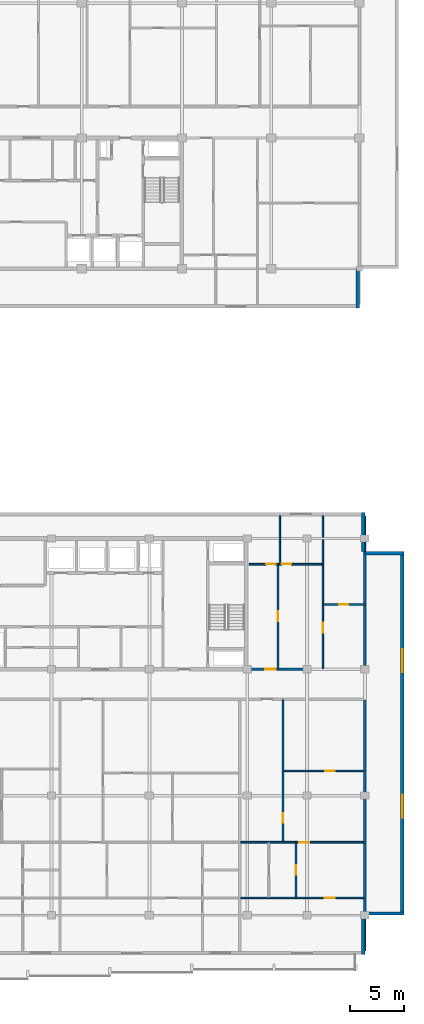
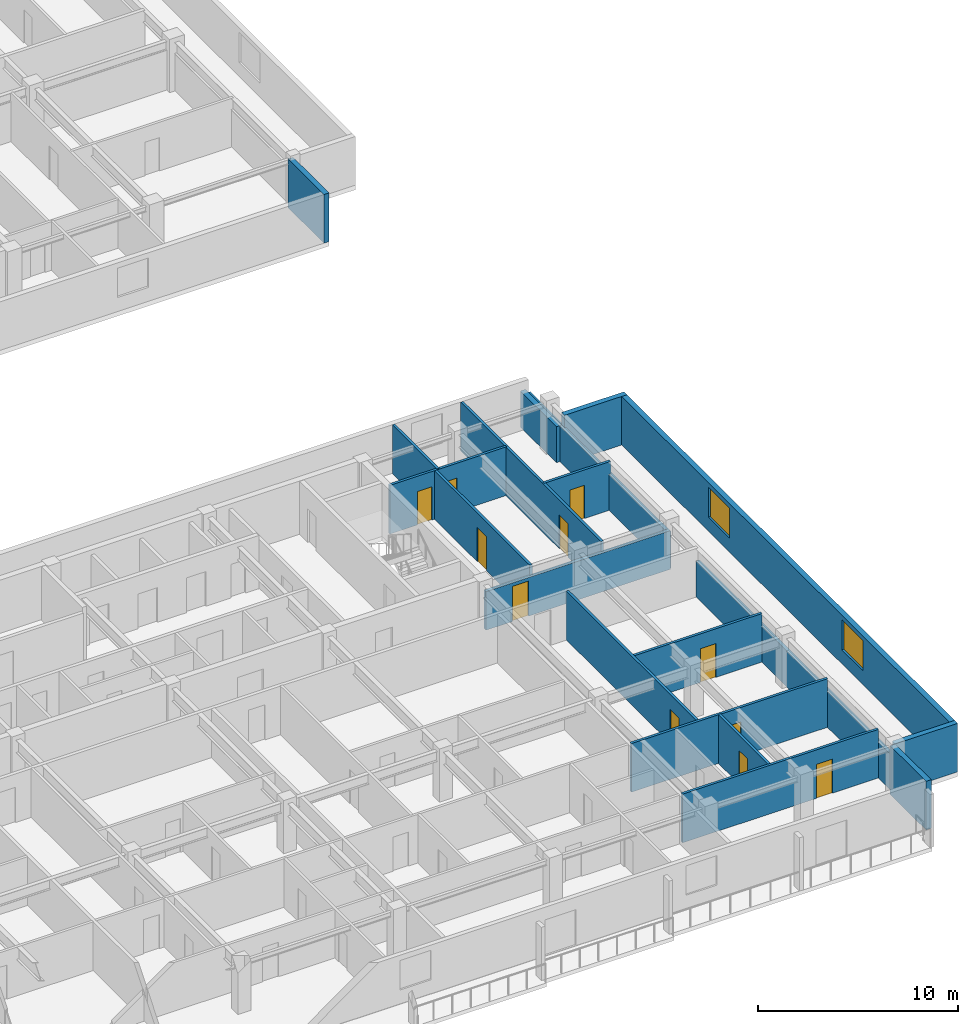
# One storey, part 10 of 22: 19 walls, 11 doors, 2 windows, 13 openings.
"""IFC4 building model written with IfcOpenShell, lengths in metres."""

from ifc_helpers import new_model, si_unit, direction, frame, frame_2d, origin, place, context, subcontext, project, spatial, rectangle, extrude, material, layer, layer_set, type_object, element, fill, save


model = new_model("IFC4")

# Units and contexts
model_context = context("Model", 3, precision=1e-05, world=origin(), true_north=direction((0.0, 1.0)))
body_context = subcontext(model_context, "Body", "Model", "MODEL_VIEW")
ifc_project = project(units=[si_unit("LENGTHUNIT", "METRE"), si_unit("AREAUNIT", "SQUARE_METRE"), si_unit("VOLUMEUNIT", "CUBIC_METRE"), si_unit("PLANEANGLEUNIT", "RADIAN"), si_unit("MASSUNIT", "GRAM", prefix="KILO")], contexts=[model_context])

# Site, building, storey
site_placement = place(None, origin())
site = spatial("IfcSite", under=ifc_project, at=site_placement, CompositionType="ELEMENT")
building_placement = place(site_placement, origin())
building = spatial("IfcBuilding", under=site, at=building_placement, Name="Korimba Cascade Residences", CompositionType="ELEMENT")
storey_placement = place(building_placement, frame((0.0, 0.0, 181.60009765625)))
storey = spatial("IfcBuildingStorey", under=building, at=storey_placement, Name="L52", CompositionType="ELEMENT", Elevation=181.60009765625)

# Walls
ifc_material_1 = material(Name="Precast concrete C40/50", Category="concrete")
ifc_layer_1 = layer(ifc_material_1, 0.300048828125)
ifc_layer_set_1 = layer_set([ifc_layer_1], Name="Precast concrete C40/50")
wall_type_1 = type_object("IfcWallType", Name="EW-STONE-300", PredefinedType="STANDARD", material=ifc_layer_set_1)
wall_1_placement = place(storey_placement, frame((128.25, 51.60009765625, 0.0), z_axis=(0.0, 0.0, 1.0), x_axis=(0.0, 1.0, 0.0)))
element("IfcWall", 1, at=wall_1_placement, inside=storey, type_object=wall_type_1, Name="L52 T1 Perimeter Stone Wall E01", PredefinedType="STANDARD", context=body_context, shape_type="SweptSolid", body=[
    extrude(rectangle(XDim=3.599853515625, YDim=0.300048828125, at=frame_2d((1.7998046875, 0.0))), origin(), (0.0, 0.0, 1.0), 2.969970703125),
])
for number, where, z_axis, x_axis, name in (
    (2, (128.75, -7.800048828125, 0.0), (0.0, 0.0, 1.0), (0.0, 1.0, 0.0), "L52 T2 Perimeter Stone Wall E01"),
    (3, (128.89990234375, -4.050048828125, 0.0), (0.0, 0.0, 1.0), (1.0, 0.0, 0.0), "L52 T2 Perimeter Stone Wall E02"),
):
    element("IfcWall", number, at=place(storey_placement, frame(where, z_axis=z_axis, x_axis=x_axis)), inside=storey, type_object=wall_type_1, Name=name, PredefinedType="STANDARD", context=body_context, shape_type="SweptSolid", body=[
        extrude(rectangle(XDim=3.60009765625, YDim=0.300048828125, at=frame_2d((1.800048828125, 0.0))), origin(), (0.0, 0.0, 1.0), 2.969970703125),
    ])

# Wall, openings, windows
wall_2_placement = place(storey_placement, frame((132.35009765625, -4.199951171875, 0.0), z_axis=(0.0, 0.0, 1.0), x_axis=(0.0, 1.0, 0.0)))
wall_2 = element("IfcWall", 4, at=wall_2_placement, inside=storey, type_object=wall_type_1, Name="L52 T2 Perimeter Stone Wall E03", PredefinedType="STANDARD", context=body_context, shape_type="SweptSolid", body=[
    extrude(rectangle(XDim=33.39990234375, YDim=0.300048828125, at=frame_2d((16.699951171875, 0.0))), origin(), (0.0, 0.0, 1.0), 2.969970703125),
])
opening_1_placement = place(wall_2_placement, frame((8.969970703125, 0.0, 0.85009765625)))
opening_1 = element("IfcOpeningElement", 5, at=opening_1_placement, cuts=wall_2, Name="Opening W-03", PredefinedType="OPENING", context=body_context, shape_type="SweptSolid", body=[
    extrude(rectangle(XDim=2.10009765625, YDim=1.85009765625, at=frame_2d((1.050048828125, 0.925048828125))), frame((0.0, 0.16015625, 0.0), z_axis=(0.0, -1.0, 0.0), x_axis=(1.0, 0.0, 0.0)), (0.0, 0.0, 1.0), 0.320068359375),
])
opening_2_placement = place(wall_2_placement, frame((22.330078125, 0.0, 0.85009765625)))
opening_2 = element("IfcOpeningElement", 6, at=opening_2_placement, cuts=wall_2, Name="Opening W-03", PredefinedType="OPENING", context=body_context, shape_type="SweptSolid", body=[
    extrude(rectangle(XDim=2.10009765625, YDim=1.85009765625, at=frame_2d((1.050048828125, 0.925048828125))), frame((0.0, 0.16015625, 0.0), z_axis=(0.0, -1.0, 0.0), x_axis=(1.0, 0.0, 0.0)), (0.0, 0.0, 1.0), 0.320068359375),
])
ifc_material_2 = material(Name="Double-Glazed Aluminium Window", Category="aluminium")
window_type = type_object("IfcWindowType", Name="WIN-CRN-2100", PartitioningType="DOUBLE_PANEL_HORIZONTAL", PredefinedType="WINDOW", material=ifc_material_2)
window_1_placement = place(opening_1_placement, origin())
window_1 = element("IfcWindow", 7, at=window_1_placement, inside=storey, type_object=window_type, Name="L52 T2 End View Window 3.1", OverallHeight=1.85009765625, OverallWidth=2.10009765625, PartitioningType="DOUBLE_PANEL_HORIZONTAL", PredefinedType="WINDOW", context=body_context, shape_type="SweptSolid", body=[
    extrude(rectangle(XDim=2.10009765625, YDim=1.85009765625, at=frame_2d((1.050048828125, 0.925048828125))), frame((0.0, 0.030029296875, 0.0), z_axis=(0.0, -1.0, 0.0), x_axis=(1.0, 0.0, 0.0)), (0.0, 0.0, 1.0), 0.06005859375),
])
fill(opening_1, window_1)
window_2_placement = place(opening_2_placement, origin())
window_2 = element("IfcWindow", 8, at=window_2_placement, inside=storey, type_object=window_type, Name="L52 T2 End View Window 3.2", OverallHeight=1.85009765625, OverallWidth=2.10009765625, PartitioningType="DOUBLE_PANEL_HORIZONTAL", PredefinedType="WINDOW", context=body_context, shape_type="SweptSolid", body=[
    extrude(rectangle(XDim=2.10009765625, YDim=1.85009765625, at=frame_2d((1.050048828125, 0.925048828125))), frame((0.0, 0.030029296875, 0.0), z_axis=(0.0, -1.0, 0.0), x_axis=(1.0, 0.0, 0.0)), (0.0, 0.0, 1.0), 0.06005859375),
])
fill(opening_2, window_2)

# Walls
wall_3_placement = place(storey_placement, frame((132.5, 29.050048828125, 0.0), z_axis=(0.0, 0.0, 1.0), x_axis=(-1.0, 0.0, 0.0)))
element("IfcWall", 9, at=wall_3_placement, inside=storey, type_object=wall_type_1, Name="L52 T2 Perimeter Stone Wall E04", PredefinedType="STANDARD", context=body_context, shape_type="SweptSolid", body=[
    extrude(rectangle(XDim=3.60009765625, YDim=0.300048828125, at=frame_2d((1.800048828125, 0.0))), origin(), (0.0, 0.0, 1.0), 2.969970703125),
])
wall_4_placement = place(storey_placement, frame((128.75, 29.199951171875, 0.0), z_axis=(0.0, 0.0, 1.0), x_axis=(0.0, 1.0, 0.0)))
element("IfcWall", 10, at=wall_4_placement, inside=storey, type_object=wall_type_1, Name="L52 T2 Perimeter Stone Wall E05", PredefinedType="STANDARD", context=body_context, shape_type="SweptSolid", body=[
    extrude(rectangle(XDim=3.60009765625, YDim=0.300048828125, at=frame_2d((1.800048828125, 0.0))), origin(), (0.0, 0.0, 1.0), 2.2001953125),
])
ifc_layer_2 = layer(ifc_material_1, 0.199951171875)
ifc_layer_set_2 = layer_set([ifc_layer_2], Name="Precast concrete C40/50")
wall_type_2 = type_object("IfcWallType", Name="WAL-IT-200", PredefinedType="PARTITIONING", material=ifc_layer_set_2)
wall_5_placement = place(storey_placement, frame((128.89990234375, 18.39990234375, 0.0), z_axis=(0.0, 0.0, 1.0), x_axis=(0.0, 1.0, 0.0)))
element("IfcWall", 11, at=wall_5_placement, inside=storey, type_object=wall_type_2, Name="L52 Partition Wall WAL-L52-T2-FE-WR", PredefinedType="PARTITIONING", context=body_context, shape_type="SweptSolid", body=[
    extrude(rectangle(XDim=14.10009765625, YDim=0.199951171875, at=frame_2d((7.050048828125, 0.0))), origin(), (0.0, 0.0, 1.0), 2.2001953125),
])

# Wall, opening, door
wall_6_placement = place(storey_placement, frame((118.25, 18.39990234375, 0.0), z_axis=(0.0, 0.0, 1.0), x_axis=(1.0, 0.0, 0.0)))
wall_6 = element("IfcWall", 12, at=wall_6_placement, inside=storey, type_object=wall_type_2, Name="L52 Partition Wall WAL-L52-T2-FE-S", PredefinedType="PARTITIONING", context=body_context, shape_type="SweptSolid", body=[
    extrude(rectangle(XDim=10.64990234375, YDim=0.199951171875, at=frame_2d((5.324951171875, 0.0))), origin(), (0.0, 0.0, 1.0), 2.357666015625),
])
opening_3_placement = place(wall_6_placement, frame((1.510009765625, 0.0, 0.0)))
opening_3 = element("IfcOpeningElement", 13, at=opening_3_placement, cuts=wall_6, Name="Opening D-UN1", PredefinedType="OPENING", context=body_context, shape_type="SweptSolid", body=[
    extrude(rectangle(XDim=0.949951171875, YDim=2.14990234375, at=frame_2d((0.47509765625, 1.074951171875))), frame((0.0, 0.10986328125, 0.0), z_axis=(0.0, -1.0, 0.0), x_axis=(1.0, 0.0, 0.0)), (0.0, 0.0, 1.0), 0.219970703125),
])
ifc_material_3 = material(Name="Fire-Rated Hardwood Apartment Entrance Door", Category="wood")
door_type_1 = type_object("IfcDoorType", Name="DR-FD60-950", OperationType="NOTDEFINED", PredefinedType="DOOR", material=ifc_material_3)
door_1_placement = place(opening_3_placement, origin())
door_1 = element("IfcDoor", 14, at=door_1_placement, inside=storey, type_object=door_type_1, Name="L52-T2-FE Entrance Door", OperationType="SINGLE_SWING_RIGHT", OverallHeight=2.14990234375, OverallWidth=0.949951171875, PredefinedType="DOOR", context=body_context, shape_type="SweptSolid", body=[
    extrude(rectangle(XDim=0.949951171875, YDim=2.14990234375, at=frame_2d((0.47509765625, 1.074951171875))), frame((0.0, 0.02490234375, 0.0), z_axis=(0.0, -1.0, 0.0), x_axis=(1.0, 0.0, 0.0)), (0.0, 0.0, 1.0), 0.050048828125),
])
fill(opening_3, door_1)

# Wall
wall_7_placement = place(storey_placement, frame((128.89990234375, -7.5, 0.0), z_axis=(0.0, 0.0, 1.0), x_axis=(0.0, 1.0, 0.0)))
element("IfcWall", 15, at=wall_7_placement, inside=storey, type_object=wall_type_2, Name="L52 Partition Wall WAL-L52-T2-BNDWR", PredefinedType="PARTITIONING", context=body_context, shape_type="SweptSolid", body=[
    extrude(rectangle(XDim=23.070068359375, YDim=0.199951171875, at=frame_2d((11.53515625, 0.0))), origin(), (0.0, 0.0, 1.0), 2.2001953125),
])

# Wall, opening, door
ifc_material_4 = material(Name="Insulated Acoustic Stud Partition", Category="gypsum")
ifc_layer_3 = layer(ifc_material_4, 0.14990234375)
ifc_layer_set_3 = layer_set([ifc_layer_3], Name="Insulated Acoustic Stud Partition")
wall_type_3 = type_object("IfcWallType", Name="WAL-PART-150", PredefinedType="PARTITIONING", material=ifc_layer_set_3)
wall_8_placement = place(storey_placement, frame((125.050048828125, 24.35009765625, 0.0), z_axis=(0.0, 0.0, 1.0), x_axis=(1.0, 0.0, 0.0)))
wall_8 = element("IfcWall", 16, at=wall_8_placement, inside=storey, type_object=wall_type_3, Name="L52 Partition Wall WAL-L52-T2-FE-STH", PredefinedType="PARTITIONING", context=body_context, shape_type="SweptSolid", body=[
    extrude(rectangle(XDim=3.849853515625, YDim=0.14990234375, at=frame_2d((1.9248046875, 0.0))), origin(), (0.0, 0.0, 1.0), 2.969970703125),
])
opening_4_placement = place(wall_8_placement, frame((1.5048828125, 0.0, 0.0)))
opening_4 = element("IfcOpeningElement", 17, at=opening_4_placement, cuts=wall_8, Name="Opening D-BT1", PredefinedType="OPENING", context=body_context, shape_type="SweptSolid", body=[
    extrude(rectangle(XDim=0.840087890625, YDim=2.0400390625, at=frame_2d((0.419921875, 1.02001953125))), frame((0.0, 0.0849609375, 0.0), z_axis=(0.0, -1.0, 0.0), x_axis=(1.0, 0.0, 0.0)), (0.0, 0.0, 1.0), 0.169921875),
])
ifc_material_5 = material(Name="Moisture-Resistant Bathroom Timber Door", Category="wood")
door_type_2 = type_object("IfcDoorType", Name="DR-INT-850", OperationType="NOTDEFINED", PredefinedType="DOOR", material=ifc_material_5)
door_2_placement = place(opening_4_placement, origin())
door_2 = element("IfcDoor", 18, at=door_2_placement, inside=storey, type_object=door_type_2, Name="L52-T2-FE Dressing Store Door", OperationType="SINGLE_SWING_LEFT", OverallHeight=2.0400390625, OverallWidth=0.840087890625, PredefinedType="DOOR", context=body_context, shape_type="SweptSolid", body=[
    extrude(rectangle(XDim=0.840087890625, YDim=2.0400390625, at=frame_2d((0.419921875, 1.02001953125))), frame((0.0, 0.02490234375, 0.0), z_axis=(0.0, -1.0, 0.0), x_axis=(1.0, 0.0, 0.0)), (0.0, 0.0, 1.0), 0.050048828125),
])
fill(opening_4, door_2)

wall_9_placement = place(storey_placement, frame((125.050048828125, 18.449951171875, 0.0), z_axis=(0.0, 0.0, 1.0), x_axis=(0.0, 1.0, 0.0)))
wall_9 = element("IfcWall", 19, at=wall_9_placement, inside=storey, type_object=wall_type_3, Name="L52 Partition Wall WAL-L52-T2-FE-STV", PredefinedType="PARTITIONING", context=body_context, shape_type="SweptSolid", body=[
    extrude(rectangle(XDim=14.050048828125, YDim=0.14990234375, at=frame_2d((7.02490234375, 0.0))), origin(), (0.0, 0.0, 1.0), 2.969970703125),
])
opening_5_placement = place(wall_9_placement, frame((3.320068359375, 0.0, 0.0)))
opening_5 = element("IfcOpeningElement", 20, at=opening_5_placement, cuts=wall_9, Name="Opening D-IN2", PredefinedType="OPENING", context=body_context, shape_type="SweptSolid", body=[
    extrude(rectangle(XDim=0.8798828125, YDim=2.06005859375, at=frame_2d((0.43994140625, 1.030029296875))), frame((0.0, 0.0849609375, 0.0), z_axis=(0.0, -1.0, 0.0), x_axis=(1.0, 0.0, 0.0)), (0.0, 0.0, 1.0), 0.169921875),
])
ifc_material_6 = material(Name="Acoustic Timber Bedroom Door", Category="wood")
door_type_3 = type_object("IfcDoorType", Name="DR-INT-880", OperationType="NOTDEFINED", PredefinedType="DOOR", material=ifc_material_6)
door_3_placement = place(opening_5_placement, origin())
door_3 = element("IfcDoor", 21, at=door_3_placement, inside=storey, type_object=door_type_3, Name="L52-T2-FE Study Door", OperationType="SINGLE_SWING_RIGHT", OverallHeight=2.06005859375, OverallWidth=0.8798828125, PredefinedType="DOOR", context=body_context, shape_type="SweptSolid", body=[
    extrude(rectangle(XDim=0.8798828125, YDim=2.06005859375, at=frame_2d((0.43994140625, 1.030029296875))), frame((0.0, 0.02490234375, 0.0), z_axis=(0.0, -1.0, 0.0), x_axis=(1.0, 0.0, 0.0)), (0.0, 0.0, 1.0), 0.050048828125),
])
fill(opening_5, door_3)

wall_10_placement = place(storey_placement, frame((120.929931640625, 18.449951171875, 0.0), z_axis=(0.0, 0.0, 1.0), x_axis=(0.0, 1.0, 0.0)))
wall_10 = element("IfcWall", 22, at=wall_10_placement, inside=storey, type_object=wall_type_3, Name="L52 Partition Wall WAL-L52-T2-FE-VS", PredefinedType="PARTITIONING", context=body_context, shape_type="SweptSolid", body=[
    extrude(rectangle(XDim=9.60009765625, YDim=0.14990234375, at=frame_2d((4.800048828125, 0.0))), origin(), (0.0, 0.0, 1.0), 2.969970703125),
])
opening_6_placement = place(wall_10_placement, frame((4.340087890625, 0.0, 0.0)))
opening_6 = element("IfcOpeningElement", 23, at=opening_6_placement, cuts=wall_10, Name="Opening D-IN1", PredefinedType="OPENING", context=body_context, shape_type="SweptSolid", body=[
    extrude(rectangle(XDim=0.919921875, YDim=2.080078125, at=frame_2d((0.4599609375, 1.0400390625))), frame((0.0, 0.0849609375, 0.0), z_axis=(0.0, -1.0, 0.0), x_axis=(1.0, 0.0, 0.0)), (0.0, 0.0, 1.0), 0.169921875),
])
ifc_material_7 = material(Name="Acoustic Timber Living Door", Category="wood")
door_type_4 = type_object("IfcDoorType", Name="DR-INT-920", OperationType="NOTDEFINED", PredefinedType="DOOR", material=ifc_material_7)
door_4_placement = place(opening_6_placement, origin())
door_4 = element("IfcDoor", 24, at=door_4_placement, inside=storey, type_object=door_type_4, Name="L52-T2-FE Living Door", OperationType="SINGLE_SWING_LEFT", OverallHeight=2.080078125, OverallWidth=0.919921875, PredefinedType="DOOR", context=body_context, shape_type="SweptSolid", body=[
    extrude(rectangle(XDim=0.919921875, YDim=2.080078125, at=frame_2d((0.4599609375, 1.0400390625))), frame((0.0, 0.02490234375, 0.0), z_axis=(0.0, -1.0, 0.0), x_axis=(1.0, 0.0, 0.0)), (0.0, 0.0, 1.0), 0.050048828125),
])
fill(opening_6, door_4)

# Wall
wall_11_placement = place(storey_placement, frame((121.10009765625, 28.050048828125, 0.0), z_axis=(0.0, 0.0, 1.0), x_axis=(0.0, 1.0, 0.0)))
element("IfcWall", 25, at=wall_11_placement, inside=storey, type_object=wall_type_3, Name="L52 Partition Wall WAL-L52-T2-FE-VN", PredefinedType="PARTITIONING", context=body_context, shape_type="SweptSolid", body=[
    extrude(rectangle(XDim=4.449951171875, YDim=0.14990234375, at=frame_2d((2.22509765625, 0.0))), origin(), (0.0, 0.0, 1.0), 2.969970703125),
])

# Wall, openings, doors
wall_12_placement = place(storey_placement, frame((118.27001953125, 28.050048828125, 0.0), z_axis=(0.0, 0.0, 1.0), x_axis=(1.0, 0.0, 0.0)))
wall_12 = element("IfcWall", 26, at=wall_12_placement, inside=storey, type_object=wall_type_3, Name="L52 Partition Wall WAL-L52-T2-FE-H", PredefinedType="PARTITIONING", context=body_context, shape_type="SweptSolid", body=[
    extrude(rectangle(XDim=6.760009765625, YDim=0.14990234375, at=frame_2d((3.3798828125, 0.0))), origin(), (0.0, 0.0, 1.0), 2.969970703125),
])
opening_7_placement = place(wall_12_placement, frame((1.58740234375, 0.0, 0.0)))
opening_7 = element("IfcOpeningElement", 27, at=opening_7_placement, cuts=wall_12, Name="Opening D-BT1", PredefinedType="OPENING", context=body_context, shape_type="SweptSolid", body=[
    extrude(rectangle(XDim=0.840087890625, YDim=2.0400390625, at=frame_2d((0.419921875, 1.02001953125))), frame((0.0, 0.0849609375, 0.0), z_axis=(0.0, -1.0, 0.0), x_axis=(1.0, 0.0, 0.0)), (0.0, 0.0, 1.0), 0.169921875),
])
opening_8_placement = place(wall_12_placement, frame((2.988037109375, 0.0, 0.0)))
opening_8 = element("IfcOpeningElement", 28, at=opening_8_placement, cuts=wall_12, Name="Opening D-IN2", PredefinedType="OPENING", context=body_context, shape_type="SweptSolid", body=[
    extrude(rectangle(XDim=0.8798828125, YDim=2.06005859375, at=frame_2d((0.43994140625, 1.030029296875))), frame((0.0, 0.0849609375, 0.0), z_axis=(0.0, -1.0, 0.0), x_axis=(1.0, 0.0, 0.0)), (0.0, 0.0, 1.0), 0.169921875),
])
door_5_placement = place(opening_7_placement, origin())
door_5 = element("IfcDoor", 29, at=door_5_placement, inside=storey, type_object=door_type_2, Name="L52-T2-FE Bathroom Door", OperationType="SINGLE_SWING_RIGHT", OverallHeight=2.0400390625, OverallWidth=0.840087890625, PredefinedType="DOOR", context=body_context, shape_type="SweptSolid", body=[
    extrude(rectangle(XDim=0.840087890625, YDim=2.0400390625, at=frame_2d((0.419921875, 1.02001953125))), frame((0.0, 0.02490234375, 0.0), z_axis=(0.0, -1.0, 0.0), x_axis=(1.0, 0.0, 0.0)), (0.0, 0.0, 1.0), 0.050048828125),
])
fill(opening_7, door_5)
door_6_placement = place(opening_8_placement, origin())
door_6 = element("IfcDoor", 30, at=door_6_placement, inside=storey, type_object=door_type_3, Name="L52-T2-FE Bedroom Door", OperationType="SINGLE_SWING_LEFT", OverallHeight=2.06005859375, OverallWidth=0.8798828125, PredefinedType="DOOR", context=body_context, shape_type="SweptSolid", body=[
    extrude(rectangle(XDim=0.8798828125, YDim=2.06005859375, at=frame_2d((0.43994140625, 1.030029296875))), frame((0.0, 0.02490234375, 0.0), z_axis=(0.0, -1.0, 0.0), x_axis=(1.0, 0.0, 0.0)), (0.0, 0.0, 1.0), 0.050048828125),
])
fill(opening_8, door_6)

# Wall, opening, door
wall_13_placement = place(storey_placement, frame((121.438232421875, 9.06494140625, 0.0), z_axis=(0.0, 0.0, 1.0), x_axis=(1.0, 0.0, 0.0)))
wall_13 = element("IfcWall", 31, at=wall_13_placement, inside=storey, type_object=wall_type_3, Name="L52 Partition Wall WAL-L52-T2-U04-FMH", PredefinedType="PARTITIONING", context=body_context, shape_type="SweptSolid", body=[
    extrude(rectangle(XDim=7.3818359375, YDim=0.14990234375, at=frame_2d((3.69091796875, 0.0))), origin(), (0.0, 0.0, 1.0), 2.969970703125),
])
opening_9_placement = place(wall_13_placement, frame((3.8310546875, 0.0, 0.0)))
opening_9 = element("IfcOpeningElement", 32, at=opening_9_placement, cuts=wall_13, Name="Opening D-IN2", PredefinedType="OPENING", context=body_context, shape_type="SweptSolid", body=[
    extrude(rectangle(XDim=0.8798828125, YDim=2.06005859375, at=frame_2d((0.43994140625, 1.030029296875))), frame((0.0, 0.0849609375, 0.0), z_axis=(0.0, -1.0, 0.0), x_axis=(1.0, 0.0, 0.0)), (0.0, 0.0, 1.0), 0.169921875),
])
door_7_placement = place(opening_9_placement, origin())
door_7 = element("IfcDoor", 33, at=door_7_placement, inside=storey, type_object=door_type_3, Name="L52-T2-U04 Library Salon Door", OperationType="SINGLE_SWING_LEFT", OverallHeight=2.06005859375, OverallWidth=0.8798828125, PredefinedType="DOOR", context=body_context, shape_type="SweptSolid", body=[
    extrude(rectangle(XDim=0.8798828125, YDim=2.06005859375, at=frame_2d((0.43994140625, 1.030029296875))), frame((0.0, 0.02490234375, 0.0), z_axis=(0.0, -1.0, 0.0), x_axis=(1.0, 0.0, 0.0)), (0.0, 0.0, 1.0), 0.050048828125),
])
fill(opening_9, door_7)

wall_14_placement = place(storey_placement, frame((121.37841796875, 2.5400390625, 0.0), z_axis=(0.0, 0.0, 1.0), x_axis=(0.0, 1.0, 0.0)))
wall_14 = element("IfcWall", 34, at=wall_14_placement, inside=storey, type_object=wall_type_3, Name="L52 Partition Wall WAL-L52-T2-U04-FV", PredefinedType="PARTITIONING", context=body_context, shape_type="SweptSolid", body=[
    extrude(rectangle(XDim=13.050048828125, YDim=0.14990234375, at=frame_2d((6.52490234375, 0.0))), origin(), (0.0, 0.0, 1.0), 2.969970703125),
])
opening_10_placement = place(wall_14_placement, frame((1.7626953125, 0.0, 0.0)))
opening_10 = element("IfcOpeningElement", 35, at=opening_10_placement, cuts=wall_14, Name="Opening D-IN2", PredefinedType="OPENING", context=body_context, shape_type="SweptSolid", body=[
    extrude(rectangle(XDim=0.8798828125, YDim=2.06005859375, at=frame_2d((0.43994140625, 1.030029296875))), frame((0.0, 0.0849609375, 0.0), z_axis=(0.0, -1.0, 0.0), x_axis=(1.0, 0.0, 0.0)), (0.0, 0.0, 1.0), 0.169921875),
])
door_8_placement = place(opening_10_placement, origin())
door_8 = element("IfcDoor", 36, at=door_8_placement, inside=storey, type_object=door_type_3, Name="L52-T2-U04 Media Lounge Door", OperationType="SINGLE_SWING_RIGHT", OverallHeight=2.06005859375, OverallWidth=0.8798828125, PredefinedType="DOOR", context=body_context, shape_type="SweptSolid", body=[
    extrude(rectangle(XDim=0.8798828125, YDim=2.06005859375, at=frame_2d((0.43994140625, 1.030029296875))), frame((0.0, 0.02490234375, 0.0), z_axis=(0.0, -1.0, 0.0), x_axis=(1.0, 0.0, 0.0)), (0.0, 0.0, 1.0), 0.050048828125),
])
fill(opening_10, door_8)

wall_15_placement = place(storey_placement, frame((122.580078125, -2.5400390625, 0.0), z_axis=(0.0, 0.0, 1.0), x_axis=(0.0, 1.0, 0.0)))
wall_15 = element("IfcWall", 37, at=wall_15_placement, inside=storey, type_object=wall_type_3, Name="L52 Partition Wall WAL-L52-T2-U04-BM", PredefinedType="PARTITIONING", context=body_context, shape_type="SweptSolid", body=[
    extrude(rectangle(XDim=5.0, YDim=0.14990234375, at=frame_2d((2.5, 0.0))), origin(), (0.0, 0.0, 1.0), 2.969970703125),
])
opening_11_placement = place(wall_15_placement, frame((2.080078125, 0.0, 0.0)))
opening_11 = element("IfcOpeningElement", 38, at=opening_11_placement, cuts=wall_15, Name="Opening D-BT1", PredefinedType="OPENING", context=body_context, shape_type="SweptSolid", body=[
    extrude(rectangle(XDim=0.840087890625, YDim=2.0400390625, at=frame_2d((0.419921875, 1.02001953125))), frame((0.0, 0.0849609375, 0.0), z_axis=(0.0, -1.0, 0.0), x_axis=(1.0, 0.0, 0.0)), (0.0, 0.0, 1.0), 0.169921875),
])
door_9_placement = place(opening_11_placement, origin())
door_9 = element("IfcDoor", 39, at=door_9_placement, inside=storey, type_object=door_type_2, Name="L52-T2-U04 Bathroom Door", OperationType="SINGLE_SWING_RIGHT", OverallHeight=2.0400390625, OverallWidth=0.840087890625, PredefinedType="DOOR", context=body_context, shape_type="SweptSolid", body=[
    extrude(rectangle(XDim=0.840087890625, YDim=2.0400390625, at=frame_2d((0.419921875, 1.02001953125))), frame((0.0, 0.02490234375, 0.0), z_axis=(0.0, -1.0, 0.0), x_axis=(1.0, 0.0, 0.0)), (0.0, 0.0, 1.0), 0.050048828125),
])
fill(opening_11, door_9)

wall_16_placement = place(storey_placement, frame((117.48828125, 2.5, 0.0), z_axis=(0.0, 0.0, 1.0), x_axis=(1.0, 0.0, 0.0)))
wall_16 = element("IfcWall", 40, at=wall_16_placement, inside=storey, type_object=wall_type_3, Name="L52 Partition Wall WAL-L52-T2-U04-MW", PredefinedType="PARTITIONING", context=body_context, shape_type="SweptSolid", body=[
    extrude(rectangle(XDim=11.331787109375, YDim=0.14990234375, at=frame_2d((5.666015625, 0.0))), origin(), (0.0, 0.0, 1.0), 2.969970703125),
])
opening_12_placement = place(wall_16_placement, frame((5.407958984375, 0.0, 0.0)))
opening_12 = element("IfcOpeningElement", 41, at=opening_12_placement, cuts=wall_16, Name="Opening D-IN1", PredefinedType="OPENING", context=body_context, shape_type="SweptSolid", body=[
    extrude(rectangle(XDim=0.919921875, YDim=2.080078125, at=frame_2d((0.4599609375, 1.0400390625))), frame((0.0, 0.0849609375, 0.0), z_axis=(0.0, -1.0, 0.0), x_axis=(1.0, 0.0, 0.0)), (0.0, 0.0, 1.0), 0.169921875),
])
door_10_placement = place(opening_12_placement, origin())
door_10 = element("IfcDoor", 42, at=door_10_placement, inside=storey, type_object=door_type_4, Name="L52-T2-U04 Studio Kitchen Door", OperationType="SINGLE_SWING_LEFT", OverallHeight=2.080078125, OverallWidth=0.919921875, PredefinedType="DOOR", context=body_context, shape_type="SweptSolid", body=[
    extrude(rectangle(XDim=0.919921875, YDim=2.080078125, at=frame_2d((0.4599609375, 1.0400390625))), frame((0.0, 0.02490234375, 0.0), z_axis=(0.0, -1.0, 0.0), x_axis=(1.0, 0.0, 0.0)), (0.0, 0.0, 1.0), 0.050048828125),
])
fill(opening_12, door_10)

wall_17_placement = place(storey_placement, frame((117.48828125, -2.60009765625, 0.0), z_axis=(0.0, 0.0, 1.0), x_axis=(1.0, 0.0, 0.0)))
wall_17 = element("IfcWall", 43, at=wall_17_placement, inside=storey, type_object=wall_type_3, Name="L52 Partition Wall WAL-L52-T2-U04-HZ", PredefinedType="PARTITIONING", context=body_context, shape_type="SweptSolid", body=[
    extrude(rectangle(XDim=11.331787109375, YDim=0.14990234375, at=frame_2d((5.666015625, 0.0))), origin(), (0.0, 0.0, 1.0), 2.969970703125),
])
opening_13_placement = place(wall_17_placement, frame((7.731689453125, 0.0, 0.0)))
opening_13 = element("IfcOpeningElement", 44, at=opening_13_placement, cuts=wall_17, Name="Opening D-IN1", PredefinedType="OPENING", context=body_context, shape_type="SweptSolid", body=[
    extrude(rectangle(XDim=0.919921875, YDim=2.080078125, at=frame_2d((0.4599609375, 1.0400390625))), frame((0.0, 0.0849609375, 0.0), z_axis=(0.0, -1.0, 0.0), x_axis=(1.0, 0.0, 0.0)), (0.0, 0.0, 1.0), 0.169921875),
])
door_11_placement = place(opening_13_placement, origin())
door_11 = element("IfcDoor", 45, at=door_11_placement, inside=storey, type_object=door_type_4, Name="L52-T2-U04 Studio Door", OperationType="SINGLE_SWING_RIGHT", OverallHeight=2.080078125, OverallWidth=0.919921875, PredefinedType="DOOR", context=body_context, shape_type="SweptSolid", body=[
    extrude(rectangle(XDim=0.919921875, YDim=2.080078125, at=frame_2d((0.4599609375, 1.0400390625))), frame((0.0, 0.02490234375, 0.0), z_axis=(0.0, -1.0, 0.0), x_axis=(1.0, 0.0, 0.0)), (0.0, 0.0, 1.0), 0.050048828125),
])
fill(opening_13, door_11)

save(model, "model.ifc")
